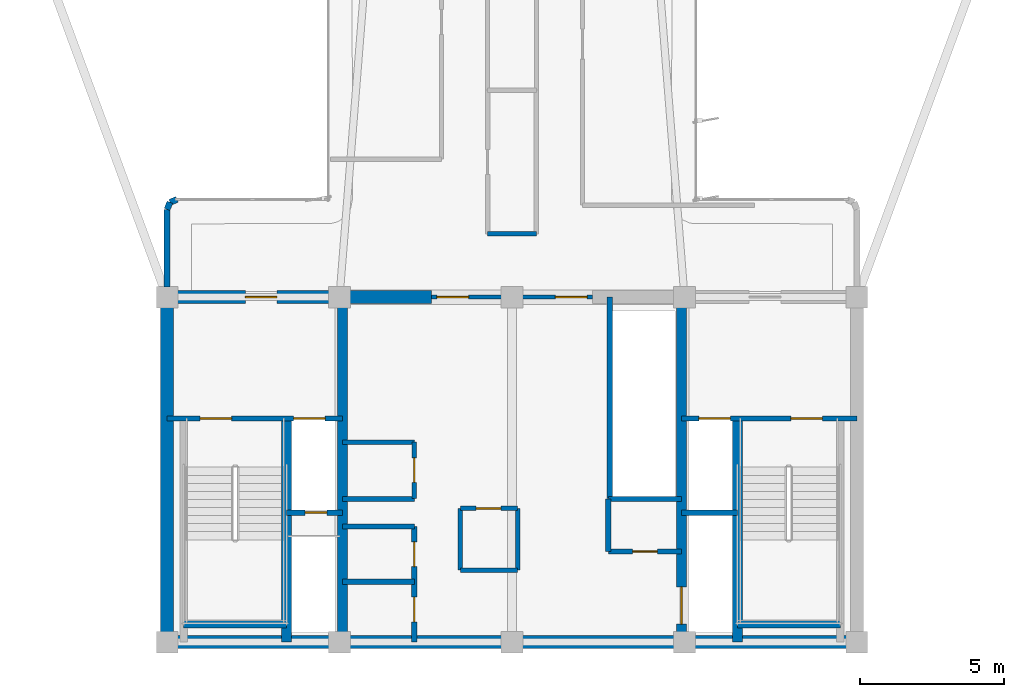
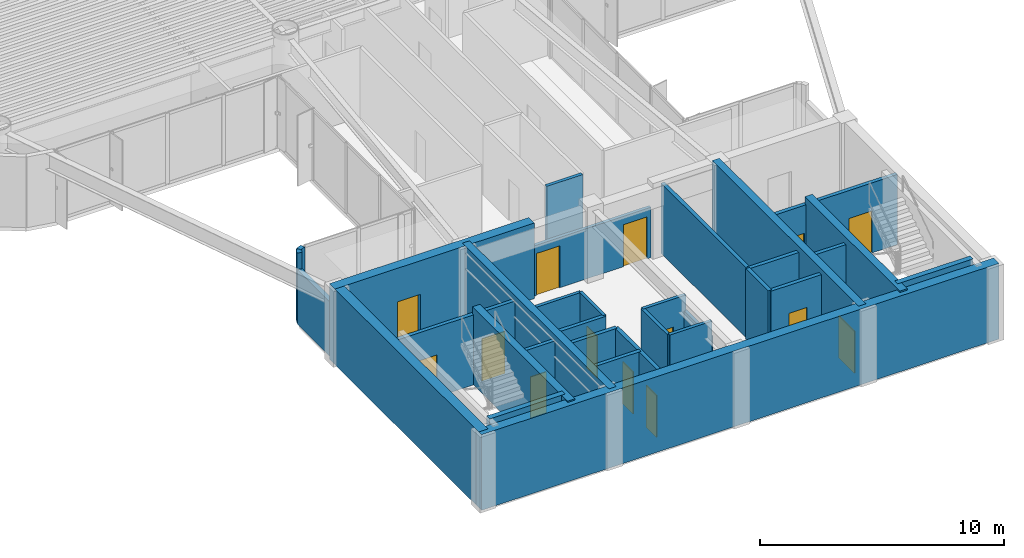
# One storey, part 9 of 15: 32 walls, 14 doors, 14 openings.
"""IFC4 building model written with IfcOpenShell, lengths in metres."""

from ifc_helpers import new_model, si_unit, direction, frame, frame_2d, origin, origin_2d, place, context, subcontext, project, spatial, rectangle, extrude, source, transform, mapped, material, layer, layer_set, type_object, element, fill, save


model = new_model("IFC4")

# Units and contexts
model_context = context("Model", 3, precision=1e-05, world=origin(), true_north=direction((0.0, 1.0)))
body_context = subcontext(model_context, "Body", "Model", "MODEL_VIEW")
ifc_project = project(units=[si_unit("LENGTHUNIT", "METRE"), si_unit("AREAUNIT", "SQUARE_METRE"), si_unit("VOLUMEUNIT", "CUBIC_METRE"), si_unit("PLANEANGLEUNIT", "RADIAN"), si_unit("MASSUNIT", "GRAM", prefix="KILO")], contexts=[model_context])

# Site, building, storey
site_placement = place(None, origin())
site = spatial("IfcSite", under=ifc_project, at=site_placement, CompositionType="ELEMENT")
building_placement = place(site_placement, origin())
building = spatial("IfcBuilding", under=site, at=building_placement, Name="Brelvock Crest Care Tower", CompositionType="ELEMENT")
storey_placement = place(building_placement, frame((0.0, 0.0, 171.5400390625)))
storey = spatial("IfcBuildingStorey", under=building, at=storey_placement, Name="L43", CompositionType="ELEMENT", Elevation=171.5400390625)

# Walls
ifc_material_1 = material(Name="Concrete S65 (65 MPa)", Category="concrete")
ifc_layer_1 = layer(ifc_material_1, 0.449951171875, Name="WL-CS3")
ifc_layer_set_1 = layer_set([ifc_layer_1], Name="Concrete S65 (65 MPa)")
wall_type_1 = type_object("IfcWallType", Name="WL-CS3", PredefinedType="SHEAR", material=ifc_layer_set_1)
wall_1_placement = place(storey_placement, frame((48.22509765625, 6.0, 0.0), z_axis=(0.0, 0.0, 1.0), x_axis=(-1.0, 0.0, 0.0)))
element("IfcWall", 1, at=wall_1_placement, inside=storey, type_object=wall_type_1, Name="L43 Core South Shear Wall", PredefinedType="SHEAR", context=body_context, shape_type="SweptSolid", body=[
    extrude(rectangle(XDim=24.4501953125, YDim=0.449951171875, at=frame_2d((12.22509765625, 0.0))), origin(), (0.0, 0.0, 1.0), 3.780029296875),
])
wall_2_placement = place(storey_placement, frame((24.0, 6.0, 0.0), z_axis=(0.0, 0.0, 1.0), x_axis=(0.0, 1.0, 0.0)))
element("IfcWall", 2, at=wall_2_placement, inside=storey, type_object=wall_type_1, Name="L43 Core West Shear Wall", PredefinedType="SHEAR", context=body_context, shape_type="SweptSolid", body=[
    extrude(rectangle(XDim=12.0, YDim=0.449951171875, at=frame_2d((6.0, 0.0))), origin(), (0.0, 0.0, 1.0), 3.780029296875),
])

# Wall, opening, door
wall_3_placement = place(storey_placement, frame((23.77490234375, 18.0, 0.0), z_axis=(0.0, 0.0, 1.0), x_axis=(1.0, 0.0, 0.0)))
wall_3 = element("IfcWall", 3, at=wall_3_placement, inside=storey, type_object=wall_type_1, Name="L43 Core North-West Shear Wall", PredefinedType="SHEAR", context=body_context, shape_type="SweptSolid", body=[
    extrude(rectangle(XDim=9.425048828125, YDim=0.449951171875, at=frame_2d((4.71240234375, 0.0))), origin(), (0.0, 0.0, 1.0), 3.780029296875),
])
opening_1_placement = place(wall_3_placement, frame((2.949951171875, 0.0, 0.0)))
opening_1 = element("IfcOpeningElement", 4, at=opening_1_placement, cuts=wall_3, Name="Opening FD-1", PredefinedType="OPENING", context=body_context, shape_type="SweptSolid", body=[
    extrude(rectangle(XDim=1.10009765625, YDim=2.10009765625, at=origin_2d()), frame((0.550048828125, 0.23486328125, 1.050048828125), z_axis=(0.0, -1.0, 0.0), x_axis=(1.0, 0.0, 0.0)), (0.0, 0.0, 1.0), 0.469970703125),
])
ifc_material_2 = material(Name="Steel Grade 350", Category="steel")
door_type_1 = type_object("IfcDoorType", Name="DR-FFL1", OperationType="NOTDEFINED", PredefinedType="DOOR", material=ifc_material_2)
shared_shape_1 = source(origin(), body_context, "Body", "SweptSolid", [
    extrude(rectangle(XDim=1.10009765625, YDim=2.10009765625, at=origin_2d()), frame((0.550048828125, 0.02490234375, 1.050048828125), z_axis=(0.0, -1.0, 0.0), x_axis=(1.0, 0.0, 0.0)), (0.0, 0.0, 1.0), 0.050048828125),
])
door_1_placement = place(opening_1_placement, origin())
door_1 = element("IfcDoor", 5, at=door_1_placement, inside=storey, type_object=door_type_1, Name="L43 Firefighting Lobby FFL-1 Exit Door", OperationType="SINGLE_SWING_LEFT", OverallHeight=2.10009765625, OverallWidth=1.10009765625, PredefinedType="DOOR", context=body_context, shape_type="MappedRepresentation", body=[
    mapped(shared_shape_1, transform((0.0, 0.0, 0.0), x_axis=(1.0, 0.0, 0.0), y_axis=(0.0, 1.0, 0.0), z_axis=(0.0, 0.0, 1.0), scale=1.0)),
])
fill(opening_1, door_1)

# Wall
ifc_material_3 = material(Name="Concrete S80 (80 MPa)", Category="concrete")
ifc_layer_2 = layer(ifc_material_3, 0.35009765625, Name="WL-CS5")
ifc_layer_set_2 = layer_set([ifc_layer_2], Name="Concrete S80 (80 MPa)")
wall_type_2 = type_object("IfcWallType", Name="WL-CS5", PredefinedType="SHEAR", material=ifc_layer_set_2)
wall_4_placement = place(storey_placement, frame((30.10009765625, 6.0, 0.0), z_axis=(0.0, 0.0, 1.0), x_axis=(0.0, 1.0, 0.0)))
element("IfcWall", 6, at=wall_4_placement, inside=storey, type_object=wall_type_2, Name="L43 Core Internal Web Wall West", PredefinedType="SHEAR", context=body_context, shape_type="SweptSolid", body=[
    extrude(rectangle(XDim=12.0, YDim=0.35009765625, at=frame_2d((6.0, 0.0))), origin(), (0.0, 0.0, 1.0), 3.780029296875),
])

# Wall, opening, door
wall_5_placement = place(storey_placement, frame((41.89990234375, 18.0, 0.0), z_axis=(0.0, 0.0, 1.0), x_axis=(0.0, -1.0, 0.0)))
wall_5 = element("IfcWall", 7, at=wall_5_placement, inside=storey, type_object=wall_type_2, Name="L43 Core Internal Web Wall East", PredefinedType="SHEAR", context=body_context, shape_type="SweptSolid", body=[
    extrude(rectangle(XDim=12.0, YDim=0.35009765625, at=frame_2d((6.0, 0.0))), origin(), (0.0, 0.0, 1.0), 3.780029296875),
])
opening_2_placement = place(wall_5_placement, frame((10.080078125, 0.0, 0.0)))
opening_2 = element("IfcOpeningElement", 8, at=opening_2_placement, cuts=wall_5, Name="Opening LD-S", PredefinedType="OPENING", context=body_context, shape_type="SweptSolid", body=[
    extrude(rectangle(XDim=1.300048828125, YDim=2.10009765625, at=origin_2d()), frame((0.64990234375, 0.18505859375, 1.050048828125), z_axis=(0.0, -1.0, 0.0), x_axis=(1.0, 0.0, 0.0)), (0.0, 0.0, 1.0), 0.3701171875),
])
door_type_2 = type_object("IfcDoorType", Name="DR-LDS1", OperationType="NOTDEFINED", PredefinedType="DOOR", material=ifc_material_2)
shared_shape_2 = source(origin(), body_context, "Body", "SweptSolid", [
    extrude(rectangle(XDim=1.300048828125, YDim=2.10009765625, at=origin_2d()), frame((0.64990234375, 0.02490234375, 1.050048828125), z_axis=(0.0, -1.0, 0.0), x_axis=(1.0, 0.0, 0.0)), (0.0, 0.0, 1.0), 0.050048828125),
])
door_2_placement = place(opening_2_placement, origin())
door_2 = element("IfcDoor", 9, at=door_2_placement, inside=storey, type_object=door_type_2, Name="L43 Clinical Bed Lift SL-1 Landing Door", OperationType="SLIDING_TO_LEFT", OverallHeight=2.10009765625, OverallWidth=1.300048828125, PredefinedType="DOOR", context=body_context, shape_type="MappedRepresentation", body=[
    mapped(shared_shape_2, transform((0.0, 0.0, 0.0), x_axis=(1.0, 0.0, 0.0), y_axis=(0.0, 1.0, 0.0), z_axis=(0.0, 0.0, 1.0), scale=1.0)),
])
fill(opening_2, door_2)

# Walls
for number, where, z_axis, x_axis, name in (
    (10, (28.14990234375, 6.0, 0.0), (0.0, 0.0, 1.0), (0.0, 1.0, 0.0), "L43 Core Stair ST-1 East Shear Wall"),
    (11, (43.85009765625, 6.0, 0.0), (0.0, 0.0, 1.0), (0.0, 1.0, 0.0), "L43 Core Stair ST-2 West Shear Wall"),
):
    element("IfcWall", number, at=place(storey_placement, frame(where, z_axis=z_axis, x_axis=x_axis)), inside=storey, type_object=wall_type_2, Name=name, PredefinedType="SHEAR", context=body_context, shape_type="SweptSolid", body=[
        extrude(rectangle(XDim=7.780029296875, YDim=0.35009765625, at=frame_2d((3.89013671875, 0.0))), origin(), (0.0, 0.0, 1.0), 3.849853515625),
    ])
ifc_layer_3 = layer(ifc_material_3, 0.25, Name="WL-CS6")
ifc_layer_set_3 = layer_set([ifc_layer_3], Name="Concrete S80 (80 MPa)")
wall_type_3 = type_object("IfcWallType", Name="WL-CS6", PredefinedType="SHEAR", material=ifc_layer_set_3)
for number, where, z_axis, x_axis, name in (
    (12, (24.580078125, 6.6201171875, 0.0), (0.0, 0.0, 1.0), (1.0, 0.0, 0.0), "L43 Core Stair ST-1 South Shear Wall"),
    (13, (43.85009765625, 6.6201171875, 0.0), (0.0, 0.0, 1.0), (1.0, 0.0, 0.0), "L43 Core Stair ST-2 South Shear Wall"),
):
    element("IfcWall", number, at=place(storey_placement, frame(where, z_axis=z_axis, x_axis=x_axis)), inside=storey, type_object=wall_type_3, Name=name, PredefinedType="SHEAR", context=body_context, shape_type="SweptSolid", body=[
        extrude(rectangle(XDim=3.56982421875, YDim=0.25, at=frame_2d((1.784912109375, 0.0))), origin(), (0.0, 0.0, 1.0), 3.849853515625),
    ])
ifc_material_4 = material(Name="Precast concrete N40 (40 MPa)", Category="concrete")
ifc_layer_4 = layer(ifc_material_4, 0.215087890625, Name="WL-EX2")
ifc_layer_set_4 = layer_set([ifc_layer_4], Name="Precast concrete N40 (40 MPa)")
wall_type_4 = type_object("IfcWallType", Name="WL-EX2", PredefinedType="SOLIDWALL", material=ifc_layer_set_4)
wall_6_placement = place(storey_placement, frame((24.0, 18.35498046875, 0.0), z_axis=(0.0, 0.0, 1.0), x_axis=(0.0, 1.0, 0.0)))
element("IfcWall", 14, at=wall_6_placement, inside=storey, type_object=wall_type_4, Name="L43 Rounded Corner Wall 07", PredefinedType="SOLIDWALL", context=body_context, shape_type="SweptSolid", body=[
    extrude(rectangle(XDim=2.695068359375, YDim=0.215087890625, at=frame_2d((1.34765625, 0.0))), origin(), (0.0, 0.0, 1.0), 2.718017578125),
])
wall_7_placement = place(storey_placement, frame((24.0, 21.050048828125, 0.0), z_axis=(0.0, 0.0, 1.0), x_axis=(0.382673670509, 0.923883575944, 0.0)))
element("IfcWall", 15, at=wall_7_placement, inside=storey, type_object=wall_type_4, Name="L43 Rounded Corner Wall 08", PredefinedType="SOLIDWALL", context=body_context, shape_type="SweptSolid", body=[
    extrude(rectangle(XDim=0.26806640625, YDim=0.215087890625, at=frame_2d((0.134033203125, 0.0))), origin(), (0.0, 0.0, 1.0), 3.530029296875),
])
wall_8_placement = place(storey_placement, frame((24.1025390625, 21.297607421875, 0.0), z_axis=(0.0, 0.0, 1.0), x_axis=(0.924205486139, 0.381895560841, 0.0)))
element("IfcWall", 16, at=wall_8_placement, inside=storey, type_object=wall_type_4, Name="L43 Rounded Corner Wall 09", PredefinedType="SOLIDWALL", context=body_context, shape_type="SweptSolid", body=[
    extrude(rectangle(XDim=0.267822265625, YDim=0.215087890625, at=frame_2d((0.1337890625, 0.0))), origin(), (0.0, 0.0, 1.0), 3.530029296875),
])
ifc_material_5 = material(Name="Masonry Blockwork Acoustic Partition", Category="masonry")
ifc_layer_5 = layer(ifc_material_5, 0.14990234375, Name="WL-INT1")
ifc_layer_set_5 = layer_set([ifc_layer_5], Name="Masonry Blockwork Acoustic Partition")
wall_type_5 = type_object("IfcWallType", Name="WL-INT1", PredefinedType="PARTITIONING", material=ifc_layer_set_5)
wall_9_placement = place(storey_placement, frame((30.10009765625, 12.949951171875, 0.0), z_axis=(0.0, 0.0, 1.0), x_axis=(1.0, 0.0, 0.0)))
element("IfcWall", 17, at=wall_9_placement, inside=storey, type_object=wall_type_5, Name="L43 Interior Wall WL-CRCL-N2-L43", PredefinedType="PARTITIONING", context=body_context, shape_type="SweptSolid", body=[
    extrude(rectangle(XDim=2.5, YDim=0.14990234375, at=frame_2d((1.25, 0.0))), origin(), (0.0, 0.0, 1.0), 3.5),
])

# Wall, opening, door
wall_10_placement = place(storey_placement, frame((32.60009765625, 11.0, 0.0), z_axis=(0.0, 0.0, 1.0), x_axis=(0.0, 1.0, 0.0)))
wall_10 = element("IfcWall", 18, at=wall_10_placement, inside=storey, type_object=wall_type_5, Name="L43 Interior Wall WL-CRCL-E-L43", PredefinedType="PARTITIONING", context=body_context, shape_type="SweptSolid", body=[
    extrude(rectangle(XDim=1.949951171875, YDim=0.14990234375, at=frame_2d((0.97509765625, 0.0))), origin(), (0.0, 0.0, 1.0), 3.5),
])
opening_3_placement = place(wall_10_placement, frame((0.550048828125, 0.0, 0.0)))
opening_3 = element("IfcOpeningElement", 19, at=opening_3_placement, cuts=wall_10, Name="Opening ID-1", PredefinedType="OPENING", context=body_context, shape_type="SweptSolid", body=[
    extrude(rectangle(XDim=0.860107421875, YDim=2.10009765625, at=origin_2d()), frame((0.43017578125, 0.0849609375, 1.050048828125), z_axis=(0.0, -1.0, 0.0), x_axis=(1.0, 0.0, 0.0)), (0.0, 0.0, 1.0), 0.169921875),
])
ifc_material_6 = material(Name="Engineered Hardwood Timber", Category="wood")
door_type_3 = type_object("IfcDoorType", Name="DR-INT1", OperationType="NOTDEFINED", PredefinedType="DOOR", material=ifc_material_6)
shared_shape_3 = source(origin(), body_context, "Body", "SweptSolid", [
    extrude(rectangle(XDim=0.860107421875, YDim=2.10009765625, at=origin_2d()), frame((0.43017578125, 0.02490234375, 1.050048828125), z_axis=(0.0, -1.0, 0.0), x_axis=(1.0, 0.0, 0.0)), (0.0, 0.0, 1.0), 0.050048828125),
])
door_3_placement = place(opening_3_placement, origin())
door_3 = element("IfcDoor", 20, at=door_3_placement, inside=storey, type_object=door_type_3, Name="DR-CRCL1-L43", OperationType="SINGLE_SWING_LEFT", OverallHeight=2.10009765625, OverallWidth=0.860107421875, PredefinedType="DOOR", context=body_context, shape_type="MappedRepresentation", body=[
    mapped(shared_shape_3, transform((0.0, 0.0, 0.0), x_axis=(1.0, 0.0, 0.0), y_axis=(0.0, 1.0, 0.0), z_axis=(0.0, 0.0, 1.0), scale=1.0)),
])
fill(opening_3, door_3)

# Walls
wall_11_placement = place(storey_placement, frame((34.199951171875, 8.5, 0.0), z_axis=(0.0, 0.0, 1.0), x_axis=(1.0, 0.0, 0.0)))
element("IfcWall", 21, at=wall_11_placement, inside=storey, type_object=wall_type_5, Name="L43 Interior Wall WL-CRCM-S-L43", PredefinedType="PARTITIONING", context=body_context, shape_type="SweptSolid", body=[
    extrude(rectangle(XDim=2.0, YDim=0.14990234375, at=frame_2d((1.0, 0.0))), origin(), (0.0, 0.0, 1.0), 3.5),
])
wall_12_placement = place(storey_placement, frame((34.199951171875, 8.5, 0.0), z_axis=(0.0, 0.0, 1.0), x_axis=(0.0, 1.0, 0.0)))
element("IfcWall", 22, at=wall_12_placement, inside=storey, type_object=wall_type_5, Name="L43 Interior Wall WL-CRCM-W-L43", PredefinedType="PARTITIONING", context=body_context, shape_type="SweptSolid", body=[
    extrude(rectangle(XDim=2.14990234375, YDim=0.14990234375, at=frame_2d((1.074951171875, 0.0))), origin(), (0.0, 0.0, 1.0), 3.5),
])
wall_13_placement = place(storey_placement, frame((36.199951171875, 8.5, 0.0), z_axis=(0.0, 0.0, 1.0), x_axis=(0.0, 1.0, 0.0)))
element("IfcWall", 23, at=wall_13_placement, inside=storey, type_object=wall_type_5, Name="L43 Interior Wall WL-CRCM-E-L43", PredefinedType="PARTITIONING", context=body_context, shape_type="SweptSolid", body=[
    extrude(rectangle(XDim=2.14990234375, YDim=0.14990234375, at=frame_2d((1.074951171875, 0.0))), origin(), (0.0, 0.0, 1.0), 2.71484375),
])

# Wall, opening, door
wall_14_placement = place(storey_placement, frame((34.199951171875, 10.64990234375, 0.0), z_axis=(0.0, 0.0, 1.0), x_axis=(1.0, 0.0, 0.0)))
wall_14 = element("IfcWall", 24, at=wall_14_placement, inside=storey, type_object=wall_type_5, Name="L43 Interior Wall WL-CRCM-N-L43", PredefinedType="PARTITIONING", context=body_context, shape_type="SweptSolid", body=[
    extrude(rectangle(XDim=2.0, YDim=0.14990234375, at=frame_2d((1.0, 0.0))), origin(), (0.0, 0.0, 1.0), 3.5),
])
opening_4_placement = place(wall_14_placement, frame((0.550048828125, 0.0, 0.0)))
opening_4 = element("IfcOpeningElement", 25, at=opening_4_placement, cuts=wall_14, Name="Opening ID-1", PredefinedType="OPENING", context=body_context, shape_type="SweptSolid", body=[
    extrude(rectangle(XDim=0.860107421875, YDim=2.10009765625, at=origin_2d()), frame((0.43017578125, 0.0849609375, 1.050048828125), z_axis=(0.0, -1.0, 0.0), x_axis=(1.0, 0.0, 0.0)), (0.0, 0.0, 1.0), 0.169921875),
])
door_4_placement = place(opening_4_placement, origin())
door_4 = element("IfcDoor", 26, at=door_4_placement, inside=storey, type_object=door_type_3, Name="DR-CRCM1-L43", OperationType="SINGLE_SWING_LEFT", OverallHeight=2.10009765625, OverallWidth=0.860107421875, PredefinedType="DOOR", context=body_context, shape_type="MappedRepresentation", body=[
    mapped(shared_shape_3, transform((0.0, 0.0, 0.0), x_axis=(1.0, 0.0, 0.0), y_axis=(0.0, 1.0, 0.0), z_axis=(0.0, 0.0, 1.0), scale=1.0)),
])
fill(opening_4, door_4)

# Wall, openings, doors
wall_15_placement = place(storey_placement, frame((33.199951171875, 18.0, 0.0), z_axis=(0.0, 0.0, 1.0), x_axis=(1.0, 0.0, 0.0)))
wall_15 = element("IfcWall", 27, at=wall_15_placement, inside=storey, type_object=wall_type_5, Name="L43 Interior Wall WL-CORE-NPORT-L43", PredefinedType="PARTITIONING", context=body_context, shape_type="SweptSolid", body=[
    extrude(rectangle(XDim=5.60009765625, YDim=0.14990234375, at=frame_2d((2.800048828125, 0.0))), origin(), (0.0, 0.0, 1.0), 2.514892578125),
])
opening_5_placement = place(wall_15_placement, frame((0.18994140625, 0.0, 0.0)))
opening_5 = element("IfcOpeningElement", 28, at=opening_5_placement, cuts=wall_15, Name="Opening FD-1", PredefinedType="OPENING", context=body_context, shape_type="SweptSolid", body=[
    extrude(rectangle(XDim=1.10009765625, YDim=2.10009765625, at=origin_2d()), frame((0.550048828125, 0.0849609375, 1.050048828125), z_axis=(0.0, -1.0, 0.0), x_axis=(1.0, 0.0, 0.0)), (0.0, 0.0, 1.0), 0.169921875),
])
opening_6_placement = place(wall_15_placement, frame((4.31005859375, 0.0, 0.0)))
opening_6 = element("IfcOpeningElement", 29, at=opening_6_placement, cuts=wall_15, Name="Opening FD-1", PredefinedType="OPENING", context=body_context, shape_type="SweptSolid", body=[
    extrude(rectangle(XDim=1.10009765625, YDim=2.10009765625, at=origin_2d()), frame((0.550048828125, 0.0849609375, 1.050048828125), z_axis=(0.0, -1.0, 0.0), x_axis=(1.0, 0.0, 0.0)), (0.0, 0.0, 1.0), 0.169921875),
])
door_5_placement = place(opening_5_placement, origin())
door_5 = element("IfcDoor", 30, at=door_5_placement, inside=storey, type_object=door_type_1, Name="L43 Lift Lobby North Smoke Door West", OperationType="SINGLE_SWING_LEFT", OverallHeight=2.10009765625, OverallWidth=1.10009765625, PredefinedType="DOOR", context=body_context, shape_type="MappedRepresentation", body=[
    mapped(shared_shape_1, transform((0.0, 0.0, 0.0), x_axis=(1.0, 0.0, 0.0), y_axis=(0.0, 1.0, 0.0), z_axis=(0.0, 0.0, 1.0), scale=1.0)),
])
fill(opening_5, door_5)
door_6_placement = place(opening_6_placement, origin())
door_6 = element("IfcDoor", 31, at=door_6_placement, inside=storey, type_object=door_type_1, Name="L43 Lift Lobby North Smoke Door East", OperationType="SINGLE_SWING_RIGHT", OverallHeight=2.10009765625, OverallWidth=1.10009765625, PredefinedType="DOOR", context=body_context, shape_type="MappedRepresentation", body=[
    mapped(shared_shape_1, transform((0.0, 0.0, 0.0), x_axis=(1.0, 0.0, 0.0), y_axis=(0.0, 1.0, 0.0), z_axis=(0.0, 0.0, 1.0), scale=1.0)),
])
fill(opening_6, door_6)

# Walls
ifc_material_7 = material(Name="Gypsum Plasterboard Partition", Category="gypsum")
ifc_layer_6 = layer(ifc_material_7, 0.159912109375, Name="WL-PLM1")
ifc_layer_set_6 = layer_set([ifc_layer_6], Name="Gypsum Plasterboard Partition")
wall_type_6 = type_object("IfcWallType", Name="WL-PLM1", PredefinedType="PLUMBINGWALL", material=ifc_layer_set_6)
wall_16_placement = place(storey_placement, frame((35.14990234375, 20.199951171875, 0.0), z_axis=(0.0, 0.0, 1.0), x_axis=(1.0, 0.0, 0.0)))
element("IfcWall", 32, at=wall_16_placement, inside=storey, type_object=wall_type_6, Name="L43 Interior Wall WL-BX-L43-ISWC-S", PredefinedType="PLUMBINGWALL", context=body_context, shape_type="SweptSolid", body=[
    extrude(rectangle(XDim=1.7001953125, YDim=0.159912109375, at=frame_2d((0.85009765625, 0.0))), origin(), (0.0, 0.0, 1.0), 3.5),
])
ifc_layer_7 = layer(ifc_material_5, 0.179931640625, Name="WL-SHF1")
ifc_layer_set_7 = layer_set([ifc_layer_7], Name="Masonry Blockwork Acoustic Partition")
wall_type_7 = type_object("IfcWallType", Name="WL-SHF1", PredefinedType="PARTITIONING", material=ifc_layer_set_7)
wall_17_placement = place(storey_placement, frame((39.39990234375, 11.0, 0.0), z_axis=(0.0, 0.0, 1.0), x_axis=(0.0, 1.0, 0.0)))
element("IfcWall", 33, at=wall_17_placement, inside=storey, type_object=wall_type_7, Name="L43 Interior Wall WL-PLH-SHF-L43", PredefinedType="PARTITIONING", context=body_context, shape_type="SweptSolid", body=[
    extrude(rectangle(XDim=7.0, YDim=0.179931640625, at=frame_2d((3.5, 0.0))), origin(), (0.0, 0.0, 1.0), 3.5),
])
wall_18_placement = place(storey_placement, frame((30.10009765625, 10.97998046875, 0.0), z_axis=(0.0, 0.0, 1.0), x_axis=(1.0, 0.0, 0.0)))
element("IfcWall", 34, at=wall_18_placement, inside=storey, type_object=wall_type_7, Name="L43 Interior Wall WL-CSBW-N-L43", PredefinedType="PARTITIONING", context=body_context, shape_type="SweptSolid", body=[
    extrude(rectangle(XDim=2.5, YDim=0.179931640625, at=frame_2d((1.25, 0.0))), origin(), (0.0, 0.0, 1.0), 3.5),
])
wall_19_placement = place(storey_placement, frame((39.35009765625, 10.97998046875, 0.0), z_axis=(0.0, 0.0, 1.0), x_axis=(1.0, 0.0, 0.0)))
element("IfcWall", 35, at=wall_19_placement, inside=storey, type_object=wall_type_7, Name="L43 Interior Wall WL-CSBE-N-L43", PredefinedType="PARTITIONING", context=body_context, shape_type="SweptSolid", body=[
    extrude(rectangle(XDim=2.5498046875, YDim=0.179931640625, at=frame_2d((1.27490234375, 0.0))), origin(), (0.0, 0.0, 1.0), 3.5),
])
for number, where, z_axis, x_axis, name in (
    (36, (30.10009765625, 8.10009765625, 0.0), (0.0, 0.0, 1.0), (1.0, 0.0, 0.0), "L43 Interior Wall WL-CSBW-SP-L43"),
    (37, (30.10009765625, 10.02001953125, 0.0), (0.0, 0.0, 1.0), (1.0, 0.0, 0.0), "L43 Interior Wall WL-CSBW-N2-L43"),
):
    element("IfcWall", number, at=place(storey_placement, frame(where, z_axis=z_axis, x_axis=x_axis)), inside=storey, type_object=wall_type_7, Name=name, PredefinedType="PARTITIONING", context=body_context, shape_type="SweptSolid", body=[
        extrude(rectangle(XDim=2.5, YDim=0.179931640625, at=frame_2d((1.25, 0.0))), origin(), (0.0, 0.0, 1.0), 3.5),
    ])

# Wall, openings, doors
wall_20_placement = place(storey_placement, frame((32.60009765625, 6.0, 0.0), z_axis=(0.0, 0.0, 1.0), x_axis=(0.0, 1.0, 0.0)))
wall_20 = element("IfcWall", 38, at=wall_20_placement, inside=storey, type_object=wall_type_7, Name="L43 Interior Wall WL-CSBW-E-L43", PredefinedType="PARTITIONING", context=body_context, shape_type="SweptSolid", body=[
    extrude(rectangle(XDim=4.02001953125, YDim=0.179931640625, at=frame_2d((2.010009765625, 0.0))), origin(), (0.0, 0.0, 1.0), 3.5),
])
opening_7_placement = place(wall_20_placement, frame((0.699951171875, 0.0, 0.0)))
opening_7 = element("IfcOpeningElement", 39, at=opening_7_placement, cuts=wall_20, Name="Opening ID-1", PredefinedType="OPENING", context=body_context, shape_type="SweptSolid", body=[
    extrude(rectangle(XDim=0.860107421875, YDim=2.10009765625, at=origin_2d()), frame((0.43017578125, 0.10009765625, 1.050048828125), z_axis=(0.0, -1.0, 0.0), x_axis=(1.0, 0.0, 0.0)), (0.0, 0.0, 1.0), 0.199951171875),
])
opening_8_placement = place(wall_20_placement, frame((2.6201171875, 0.0, 0.0)))
opening_8 = element("IfcOpeningElement", 40, at=opening_8_placement, cuts=wall_20, Name="Opening ID-1", PredefinedType="OPENING", context=body_context, shape_type="SweptSolid", body=[
    extrude(rectangle(XDim=0.860107421875, YDim=2.10009765625, at=origin_2d()), frame((0.43017578125, 0.10009765625, 1.050048828125), z_axis=(0.0, -1.0, 0.0), x_axis=(1.0, 0.0, 0.0)), (0.0, 0.0, 1.0), 0.199951171875),
])
door_7_placement = place(opening_7_placement, origin())
door_7 = element("IfcDoor", 41, at=door_7_placement, inside=storey, type_object=door_type_3, Name="DR-CSBW1-L43", OperationType="SINGLE_SWING_LEFT", OverallHeight=2.10009765625, OverallWidth=0.860107421875, PredefinedType="DOOR", context=body_context, shape_type="MappedRepresentation", body=[
    mapped(shared_shape_3, transform((0.0, 0.0, 0.0), x_axis=(1.0, 0.0, 0.0), y_axis=(0.0, 1.0, 0.0), z_axis=(0.0, 0.0, 1.0), scale=1.0)),
])
fill(opening_7, door_7)
door_8_placement = place(opening_8_placement, origin())
door_8 = element("IfcDoor", 42, at=door_8_placement, inside=storey, type_object=door_type_3, Name="DR-CSBW2-L43", OperationType="SINGLE_SWING_RIGHT", OverallHeight=2.10009765625, OverallWidth=0.860107421875, PredefinedType="DOOR", context=body_context, shape_type="MappedRepresentation", body=[
    mapped(shared_shape_3, transform((0.0, 0.0, 0.0), x_axis=(1.0, 0.0, 0.0), y_axis=(0.0, 1.0, 0.0), z_axis=(0.0, 0.0, 1.0), scale=1.0)),
])
fill(opening_8, door_8)

# Wall
wall_21_placement = place(storey_placement, frame((39.35009765625, 9.14990234375, 0.0), z_axis=(0.0, 0.0, 1.0), x_axis=(0.0, 1.0, 0.0)))
element("IfcWall", 43, at=wall_21_placement, inside=storey, type_object=wall_type_7, Name="L43 Interior Wall WL-CSBE-W-L43", PredefinedType="PARTITIONING", context=body_context, shape_type="SweptSolid", body=[
    extrude(rectangle(XDim=1.830078125, YDim=0.179931640625, at=frame_2d((0.9150390625, 0.0))), origin(), (0.0, 0.0, 1.0), 3.5),
])

# Wall, opening, door
wall_22_placement = place(storey_placement, frame((39.35009765625, 9.14990234375, 0.0), z_axis=(0.0, 0.0, 1.0), x_axis=(1.0, 0.0, 0.0)))
wall_22 = element("IfcWall", 44, at=wall_22_placement, inside=storey, type_object=wall_type_7, Name="L43 Interior Wall WL-CSBE-S-L43", PredefinedType="PARTITIONING", context=body_context, shape_type="SweptSolid", body=[
    extrude(rectangle(XDim=2.5498046875, YDim=0.179931640625, at=frame_2d((1.27490234375, 0.0))), origin(), (0.0, 0.0, 1.0), 3.5),
])
opening_9_placement = place(wall_22_placement, frame((0.85009765625, 0.0, 0.0)))
opening_9 = element("IfcOpeningElement", 45, at=opening_9_placement, cuts=wall_22, Name="Opening ID-1", PredefinedType="OPENING", context=body_context, shape_type="SweptSolid", body=[
    extrude(rectangle(XDim=0.860107421875, YDim=2.10009765625, at=origin_2d()), frame((0.43017578125, 0.10009765625, 1.050048828125), z_axis=(0.0, -1.0, 0.0), x_axis=(1.0, 0.0, 0.0)), (0.0, 0.0, 1.0), 0.199951171875),
])
door_9_placement = place(opening_9_placement, origin())
door_9 = element("IfcDoor", 46, at=door_9_placement, inside=storey, type_object=door_type_3, Name="DR-CSBE-L43", OperationType="SINGLE_SWING_LEFT", OverallHeight=2.10009765625, OverallWidth=0.860107421875, PredefinedType="DOOR", context=body_context, shape_type="MappedRepresentation", body=[
    mapped(shared_shape_3, transform((0.0, 0.0, 0.0), x_axis=(1.0, 0.0, 0.0), y_axis=(0.0, 1.0, 0.0), z_axis=(0.0, 0.0, 1.0), scale=1.0)),
])
fill(opening_9, door_9)

# Wall, openings, doors
wall_23_placement = place(storey_placement, frame((24.0, 13.780029296875, 0.0), z_axis=(0.0, 0.0, 1.0), x_axis=(1.0, 0.0, 0.0)))
wall_23 = element("IfcWall", 47, at=wall_23_placement, inside=storey, type_object=wall_type_7, Name="L43 Interior Wall WL-ST1-N-L43", PredefinedType="PARTITIONING", context=body_context, shape_type="SweptSolid", body=[
    extrude(rectangle(XDim=6.10009765625, YDim=0.179931640625, at=frame_2d((3.050048828125, 0.0))), origin(), (0.0, 0.0, 1.0), 3.5),
])
opening_10_placement = place(wall_23_placement, frame((1.14990234375, 0.0, 0.0)))
opening_10 = element("IfcOpeningElement", 48, at=opening_10_placement, cuts=wall_23, Name="Opening SD-1", PredefinedType="OPENING", context=body_context, shape_type="SweptSolid", body=[
    extrude(rectangle(XDim=1.10009765625, YDim=2.10009765625, at=origin_2d()), frame((0.550048828125, 0.10009765625, 1.050048828125), z_axis=(0.0, -1.0, 0.0), x_axis=(1.0, 0.0, 0.0)), (0.0, 0.0, 1.0), 0.199951171875),
])
opening_11_placement = place(wall_23_placement, frame((4.39990234375, 0.0, 0.0)))
opening_11 = element("IfcOpeningElement", 49, at=opening_11_placement, cuts=wall_23, Name="Opening LD", PredefinedType="OPENING", context=body_context, shape_type="SweptSolid", body=[
    extrude(rectangle(XDim=1.10009765625, YDim=2.10009765625, at=origin_2d()), frame((0.550048828125, 0.10009765625, 1.050048828125), z_axis=(0.0, -1.0, 0.0), x_axis=(1.0, 0.0, 0.0)), (0.0, 0.0, 1.0), 0.199951171875),
])
door_type_4 = type_object("IfcDoorType", Name="DR-ST1", OperationType="NOTDEFINED", PredefinedType="DOOR", material=ifc_material_2)
shared_shape_4 = source(origin(), body_context, "Body", "SweptSolid", [
    extrude(rectangle(XDim=1.10009765625, YDim=2.10009765625, at=origin_2d()), frame((0.550048828125, 0.02490234375, 1.050048828125), z_axis=(0.0, -1.0, 0.0), x_axis=(1.0, 0.0, 0.0)), (0.0, 0.0, 1.0), 0.050048828125),
])
door_10_placement = place(opening_10_placement, origin())
door_10 = element("IfcDoor", 50, at=door_10_placement, inside=storey, type_object=door_type_4, Name="L43 Fire Stair ST-1 Door", OperationType="SINGLE_SWING_LEFT", OverallHeight=2.10009765625, OverallWidth=1.10009765625, PredefinedType="DOOR", context=body_context, shape_type="MappedRepresentation", body=[
    mapped(shared_shape_4, transform((0.0, 0.0, 0.0), x_axis=(1.0, 0.0, 0.0), y_axis=(0.0, 1.0, 0.0), z_axis=(0.0, 0.0, 1.0), scale=1.0)),
])
fill(opening_10, door_10)
door_type_5 = type_object("IfcDoorType", Name="DR-LD1", OperationType="NOTDEFINED", PredefinedType="DOOR", material=ifc_material_2)
shared_shape_5 = source(origin(), body_context, "Body", "SweptSolid", [
    extrude(rectangle(XDim=1.10009765625, YDim=2.10009765625, at=origin_2d()), frame((0.550048828125, 0.02490234375, 1.050048828125), z_axis=(0.0, -1.0, 0.0), x_axis=(1.0, 0.0, 0.0)), (0.0, 0.0, 1.0), 0.050048828125),
])
door_11_placement = place(opening_11_placement, origin())
door_11 = element("IfcDoor", 51, at=door_11_placement, inside=storey, type_object=door_type_5, Name="L43 Firefighting Lift FFL-1 Landing Door", OperationType="SLIDING_TO_LEFT", OverallHeight=2.10009765625, OverallWidth=1.10009765625, PredefinedType="DOOR", context=body_context, shape_type="MappedRepresentation", body=[
    mapped(shared_shape_5, transform((0.0, 0.0, 0.0), x_axis=(1.0, 0.0, 0.0), y_axis=(0.0, 1.0, 0.0), z_axis=(0.0, 0.0, 1.0), scale=1.0)),
])
fill(opening_11, door_11)

# Wall, opening, door
wall_24_placement = place(storey_placement, frame((28.14990234375, 10.5, 0.0), z_axis=(0.0, 0.0, 1.0), x_axis=(1.0, 0.0, 0.0)))
wall_24 = element("IfcWall", 52, at=wall_24_placement, inside=storey, type_object=wall_type_7, Name="L43 Interior Wall WL-FFH1-S-L43", PredefinedType="PARTITIONING", context=body_context, shape_type="SweptSolid", body=[
    extrude(rectangle(XDim=1.9501953125, YDim=0.179931640625, at=frame_2d((0.97509765625, 0.0))), origin(), (0.0, 0.0, 1.0), 3.5),
])
opening_12_placement = place(wall_24_placement, frame((0.64990234375, 0.0, 0.0)))
opening_12 = element("IfcOpeningElement", 53, at=opening_12_placement, cuts=wall_24, Name="Opening RD-1", PredefinedType="OPENING", context=body_context, shape_type="SweptSolid", body=[
    extrude(rectangle(XDim=0.760009765625, YDim=2.050048828125, at=origin_2d()), frame((0.3798828125, 0.10009765625, 1.02490234375), z_axis=(0.0, -1.0, 0.0), x_axis=(1.0, 0.0, 0.0)), (0.0, 0.0, 1.0), 0.199951171875),
])
door_type_6 = type_object("IfcDoorType", Name="DR-RIS1", OperationType="NOTDEFINED", PredefinedType="DOOR", material=ifc_material_2)
shared_shape_6 = source(origin(), body_context, "Body", "SweptSolid", [
    extrude(rectangle(XDim=0.760009765625, YDim=2.050048828125, at=origin_2d()), frame((0.3798828125, 0.02490234375, 1.02490234375), z_axis=(0.0, -1.0, 0.0), x_axis=(1.0, 0.0, 0.0)), (0.0, 0.0, 1.0), 0.050048828125),
])
door_12_placement = place(opening_12_placement, origin())
door_12 = element("IfcDoor", 54, at=door_12_placement, inside=storey, type_object=door_type_6, Name="L43 Wet Fire Riser Access Door", OperationType="SINGLE_SWING_LEFT", OverallHeight=2.050048828125, OverallWidth=0.760009765625, PredefinedType="DOOR", context=body_context, shape_type="MappedRepresentation", body=[
    mapped(shared_shape_6, transform((0.0, 0.0, 0.0), x_axis=(1.0, 0.0, 0.0), y_axis=(0.0, 1.0, 0.0), z_axis=(0.0, 0.0, 1.0), scale=1.0)),
])
fill(opening_12, door_12)

# Wall, openings, doors
wall_25_placement = place(storey_placement, frame((41.89990234375, 13.780029296875, 0.0), z_axis=(0.0, 0.0, 1.0), x_axis=(1.0, 0.0, 0.0)))
wall_25 = element("IfcWall", 55, at=wall_25_placement, inside=storey, type_object=wall_type_7, Name="L43 Interior Wall WL-ST2-N-L43", PredefinedType="PARTITIONING", context=body_context, shape_type="SweptSolid", body=[
    extrude(rectangle(XDim=6.10009765625, YDim=0.179931640625, at=frame_2d((3.050048828125, 0.0))), origin(), (0.0, 0.0, 1.0), 3.5),
])
opening_13_placement = place(wall_25_placement, frame((0.60009765625, 0.0, 0.0)))
opening_13 = element("IfcOpeningElement", 56, at=opening_13_placement, cuts=wall_25, Name="Opening LD", PredefinedType="OPENING", context=body_context, shape_type="SweptSolid", body=[
    extrude(rectangle(XDim=1.10009765625, YDim=2.10009765625, at=origin_2d()), frame((0.550048828125, 0.10009765625, 1.050048828125), z_axis=(0.0, -1.0, 0.0), x_axis=(1.0, 0.0, 0.0)), (0.0, 0.0, 1.0), 0.199951171875),
])
opening_14_placement = place(wall_25_placement, frame((3.800048828125, 0.0, 0.0)))
opening_14 = element("IfcOpeningElement", 57, at=opening_14_placement, cuts=wall_25, Name="Opening SD-1", PredefinedType="OPENING", context=body_context, shape_type="SweptSolid", body=[
    extrude(rectangle(XDim=1.10009765625, YDim=2.10009765625, at=origin_2d()), frame((0.550048828125, 0.10009765625, 1.050048828125), z_axis=(0.0, -1.0, 0.0), x_axis=(1.0, 0.0, 0.0)), (0.0, 0.0, 1.0), 0.199951171875),
])
door_13_placement = place(opening_14_placement, origin())
door_13 = element("IfcDoor", 58, at=door_13_placement, inside=storey, type_object=door_type_4, Name="L43 Fire Stair ST-2 Door", OperationType="SINGLE_SWING_RIGHT", OverallHeight=2.10009765625, OverallWidth=1.10009765625, PredefinedType="DOOR", context=body_context, shape_type="MappedRepresentation", body=[
    mapped(shared_shape_4, transform((0.0, 0.0, 0.0), x_axis=(1.0, 0.0, 0.0), y_axis=(0.0, 1.0, 0.0), z_axis=(0.0, 0.0, 1.0), scale=1.0)),
])
fill(opening_14, door_13)
door_14_placement = place(opening_13_placement, origin())
door_14 = element("IfcDoor", 59, at=door_14_placement, inside=storey, type_object=door_type_5, Name="L43 Firefighting Lift FFL-2 Landing Door", OperationType="SLIDING_TO_RIGHT", OverallHeight=2.10009765625, OverallWidth=1.10009765625, PredefinedType="DOOR", context=body_context, shape_type="MappedRepresentation", body=[
    mapped(shared_shape_5, transform((0.0, 0.0, 0.0), x_axis=(1.0, 0.0, 0.0), y_axis=(0.0, 1.0, 0.0), z_axis=(0.0, 0.0, 1.0), scale=1.0)),
])
fill(opening_13, door_14)

# Wall
wall_26_placement = place(storey_placement, frame((41.89990234375, 10.5, 0.0), z_axis=(0.0, 0.0, 1.0), x_axis=(1.0, 0.0, 0.0)))
element("IfcWall", 60, at=wall_26_placement, inside=storey, type_object=wall_type_7, Name="L43 Interior Wall WL-FFH2-S-L43", PredefinedType="PARTITIONING", context=body_context, shape_type="SweptSolid", body=[
    extrude(rectangle(XDim=1.9501953125, YDim=0.179931640625, at=frame_2d((0.97509765625, 0.0))), origin(), (0.0, 0.0, 1.0), 3.5),
])

save(model, "model.ifc")
